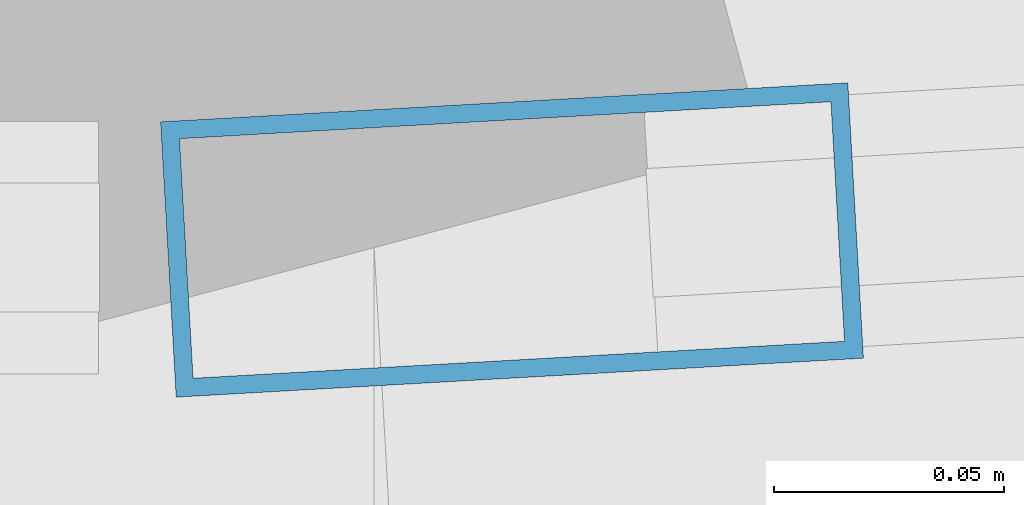
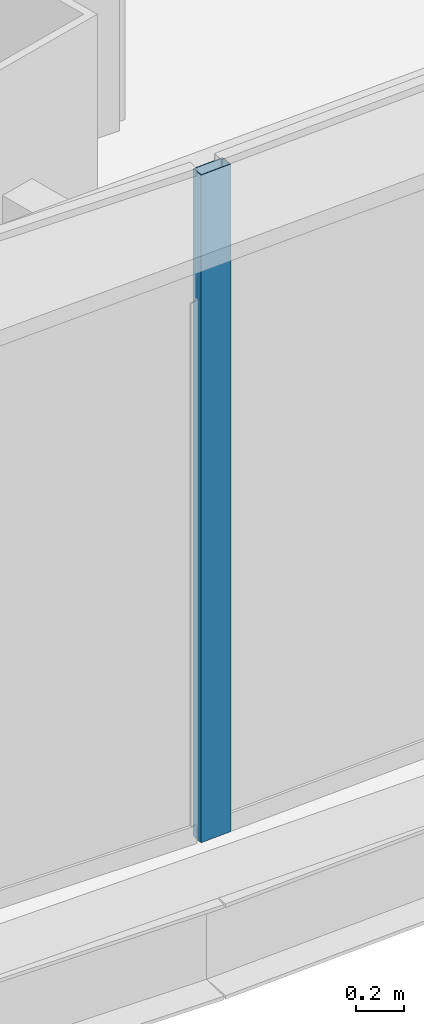
# One storey, part 12 of 39: 1 member, 1 element without a shape of its own.
"""IFC4 building model written with IfcOpenShell, lengths in metres."""

from ifc_helpers import new_model, si_unit, direction, frame, origin, origin_2d, place, context, subcontext, project, spatial, hollow_rectangle, extrude, source, transform, mapped, material, layer, layer_set, material_profile, profile_set, type_object, element, aggregate, save


model = new_model("IFC4")

# Units and contexts
model_context = context("Model", 3, precision=1e-05, world=origin(), true_north=direction((0.0, 1.0)))
body_context = subcontext(model_context, "Body", "Model", "MODEL_VIEW")
ifc_project = project(units=[si_unit("LENGTHUNIT", "METRE"), si_unit("AREAUNIT", "SQUARE_METRE"), si_unit("VOLUMEUNIT", "CUBIC_METRE"), si_unit("PLANEANGLEUNIT", "RADIAN"), si_unit("MASSUNIT", "GRAM", prefix="KILO"), si_unit("THERMODYNAMICTEMPERATUREUNIT", "KELVIN"), si_unit("POWERUNIT", "WATT")], contexts=[model_context])

# Site, building, storey
site_placement = place(None, origin())
site = spatial("IfcSite", under=ifc_project, at=site_placement, CompositionType="ELEMENT")
building_placement = place(site_placement, origin())
building = spatial("IfcBuilding", under=site, at=building_placement, Name="Yunzhuo Pagoda Commons", CompositionType="ELEMENT")
storey_placement = place(building_placement, frame((0.0, 0.0, 148.22998046875)))
storey = spatial("IfcBuildingStorey", under=building, at=storey_placement, Name="L37", CompositionType="ELEMENT", Elevation=148.22998046875)

# Curtain wall, member
ifc_material = material(Name="Anodized aluminium 6063-T6", Category="aluminium")
ifc_layer = layer(ifc_material, 0.14990234375)
ifc_layer_set = layer_set([ifc_layer], Name="Anodized aluminium 6063-T6")
curtain_wall_type = type_object("IfcCurtainWallType", Name="CW-MID Mid-Zone Ribbon Curtain Wall", PredefinedType="NOTDEFINED", material=ifc_layer_set)
curtain_wall_placement = place(storey_placement, origin())
curtain_wall = element("IfcCurtainWall", 1, at=curtain_wall_placement, inside=storey, type_object=curtain_wall_type, Name="L37 curtain wall CW-L37-F1B4", PredefinedType="NOTDEFINED")
ifc_material_profile = material_profile(ifc_material, hollow_rectangle(XDim=0.06005859375, YDim=0.14990234375, WallThickness=0.00390625, at=origin_2d()), Name="Anodized aluminium 6063-T6")
ifc_profile_set = profile_set([ifc_material_profile], Name="Anodized aluminium 6063-T6")
member_type = type_object("IfcMemberType", Name="CW-MID-M Mullion RHS 150x60x4", PredefinedType="MULLION", material=ifc_profile_set)
shared_shape = source(origin(), body_context, "Body", "SweptSolid", [
    extrude(hollow_rectangle(XDim=0.06005859375, YDim=0.14990234375, WallThickness=0.00390625, at=origin_2d()), origin(), (0.0, 0.0, 1.0), 3.419677734375),
])
member_placement = place(storey_placement, frame((53.528076171875, 13.182373046875, 0.000244140625), z_axis=(0.0, 0.0, 1.0), x_axis=(-0.056597401536, 0.998397082397, 0.0)))
member = element("IfcMember", 2, at=member_placement, type_object=member_type, Name="CW mullion 1", PredefinedType="MULLION", context=body_context, shape_type="MappedRepresentation", body=[
    mapped(shared_shape, transform((0.0, 0.0, 0.0), scale=1.0)),
])
aggregate(curtain_wall, [member])

save(model, "model.ifc")
